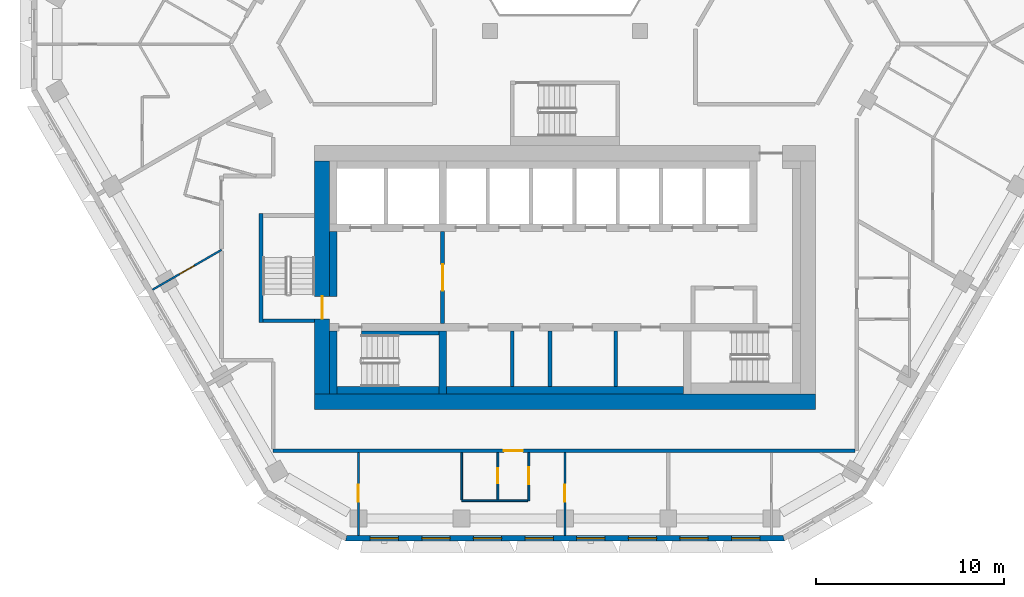
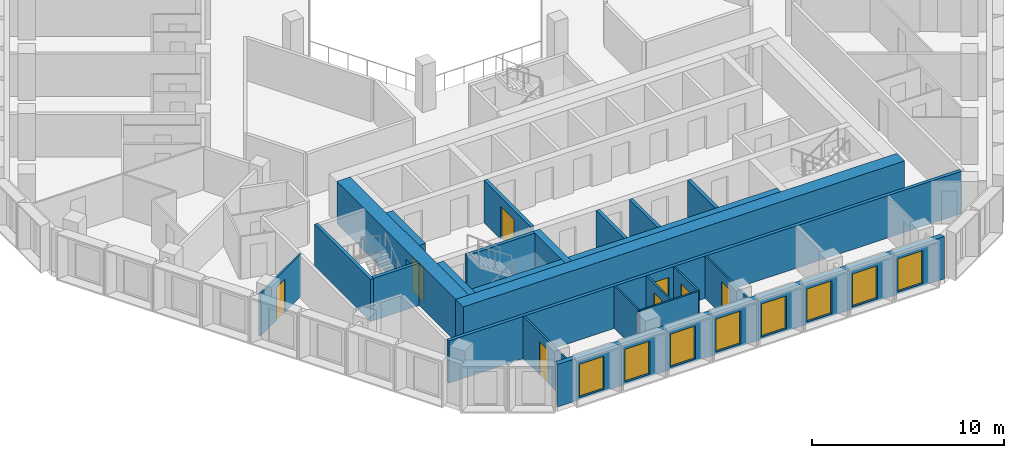
# One storey, part 3 of 17: 23 walls, 8 doors, 8 windows, 16 openings.
"""IFC4 building model written with IfcOpenShell, lengths in metres."""

from ifc_helpers import new_model, si_unit, direction, frame, frame_2d, origin, place, context, subcontext, project, spatial, polyline, rectangle, outline, extrude, material, layer, layer_set, type_object, element, fill, save


model = new_model("IFC4")

# Units and contexts
model_context = context("Model", 3, precision=1e-05, world=origin(), true_north=direction((0.0, 1.0)))
body_context = subcontext(model_context, "Body", "Model", "MODEL_VIEW")
ifc_project = project(units=[si_unit("LENGTHUNIT", "METRE"), si_unit("AREAUNIT", "SQUARE_METRE"), si_unit("VOLUMEUNIT", "CUBIC_METRE"), si_unit("PLANEANGLEUNIT", "RADIAN"), si_unit("MASSUNIT", "GRAM", prefix="KILO")], contexts=[model_context])

# Site, building, storey
site_placement = place(None, origin())
site = spatial("IfcSite", under=ifc_project, at=site_placement, CompositionType="ELEMENT")
building_placement = place(site_placement, origin())
building = spatial("IfcBuilding", under=site, at=building_placement, Name="Beryl Residences", CompositionType="ELEMENT")
storey_placement = place(building_placement, frame((0.0, 0.0, 132.60009765625)))
storey = spatial("IfcBuildingStorey", under=building, at=storey_placement, Name="L40", CompositionType="ELEMENT", Elevation=132.60009765625)

# Wall, openings, windows
ifc_material_1 = material(Name="Composite metal panel with mineral wool insulation")
ifc_layer_1 = layer(ifc_material_1, 0.300048828125)
ifc_layer_set_1 = layer_set([ifc_layer_1], Name="ES1 pale metal composite panel wall 300 mm")
wall_type_1 = type_object("IfcWallType", Name="ES1 pale metal composite panel wall 300 mm", PredefinedType="SOLIDWALL", material=ifc_layer_set_1)
wall_1_placement = place(storey_placement, frame((-11.662109375, -25.85009765625, 0.0), z_axis=(0.0, 0.0, 1.0), x_axis=(1.0, 0.0, 0.0)))
wall_1 = element("IfcWall", 1, at=wall_1_placement, inside=storey, type_object=wall_type_1, Name="ES1 external wall L40 S", PredefinedType="SOLIDWALL", context=body_context, shape_type="SweptSolid", body=[
    extrude(outline(polyline([(0.0, -0.14990234375), (23.32421875, -0.14990234375), (23.243896484375, 0.14990234375), (0.080322265625, 0.14990234375), (0.0, -0.14990234375)])), origin(), (0.0, 0.0, 1.0), 2.699951171875),
])
opening_1_placement = place(wall_1_placement, frame((1.31396484375, 0.0, 0.14990234375)))
opening_1 = element("IfcOpeningElement", 2, at=opening_1_placement, cuts=wall_1, Name="Opening W1", PredefinedType="OPENING", context=body_context, shape_type="SweptSolid", body=[
    extrude(rectangle(XDim=1.5, YDim=2.10009765625, at=frame_2d((0.75, 1.050048828125))), frame((0.0, 0.159912109375, 0.0), z_axis=(0.0, -1.0, 0.0), x_axis=(1.0, 0.0, 0.0)), (0.0, 0.0, 1.0), 0.320068359375),
])
opening_2_placement = place(wall_1_placement, frame((4.056884765625, 0.0, 0.14990234375)))
opening_2 = element("IfcOpeningElement", 3, at=opening_2_placement, cuts=wall_1, Name="Opening W1", PredefinedType="OPENING", context=body_context, shape_type="SweptSolid", body=[
    extrude(rectangle(XDim=1.5, YDim=2.10009765625, at=frame_2d((0.75, 1.050048828125))), frame((0.0, 0.159912109375, 0.0), z_axis=(0.0, -1.0, 0.0), x_axis=(1.0, 0.0, 0.0)), (0.0, 0.0, 1.0), 0.320068359375),
])
opening_3_placement = place(wall_1_placement, frame((6.799072265625, 0.0, 0.14990234375)))
opening_3 = element("IfcOpeningElement", 4, at=opening_3_placement, cuts=wall_1, Name="Opening W1", PredefinedType="OPENING", context=body_context, shape_type="SweptSolid", body=[
    extrude(rectangle(XDim=1.5, YDim=2.10009765625, at=frame_2d((0.75, 1.050048828125))), frame((0.0, 0.159912109375, 0.0), z_axis=(0.0, -1.0, 0.0), x_axis=(1.0, 0.0, 0.0)), (0.0, 0.0, 1.0), 0.320068359375),
])
opening_4_placement = place(wall_1_placement, frame((9.5419921875, 0.0, 0.14990234375)))
opening_4 = element("IfcOpeningElement", 5, at=opening_4_placement, cuts=wall_1, Name="Opening W1", PredefinedType="OPENING", context=body_context, shape_type="SweptSolid", body=[
    extrude(rectangle(XDim=1.5, YDim=2.10009765625, at=frame_2d((0.75, 1.050048828125))), frame((0.0, 0.159912109375, 0.0), z_axis=(0.0, -1.0, 0.0), x_axis=(1.0, 0.0, 0.0)), (0.0, 0.0, 1.0), 0.320068359375),
])
opening_5_placement = place(wall_1_placement, frame((12.283935546875, 0.0, 0.14990234375)))
opening_5 = element("IfcOpeningElement", 6, at=opening_5_placement, cuts=wall_1, Name="Opening W1", PredefinedType="OPENING", context=body_context, shape_type="SweptSolid", body=[
    extrude(rectangle(XDim=1.5, YDim=2.10009765625, at=frame_2d((0.75, 1.050048828125))), frame((0.0, 0.159912109375, 0.0), z_axis=(0.0, -1.0, 0.0), x_axis=(1.0, 0.0, 0.0)), (0.0, 0.0, 1.0), 0.320068359375),
])
opening_6_placement = place(wall_1_placement, frame((15.027099609375, 0.0, 0.14990234375)))
opening_6 = element("IfcOpeningElement", 7, at=opening_6_placement, cuts=wall_1, Name="Opening W1", PredefinedType="OPENING", context=body_context, shape_type="SweptSolid", body=[
    extrude(rectangle(XDim=1.5, YDim=2.10009765625, at=frame_2d((0.75, 1.050048828125))), frame((0.0, 0.159912109375, 0.0), z_axis=(0.0, -1.0, 0.0), x_axis=(1.0, 0.0, 0.0)), (0.0, 0.0, 1.0), 0.320068359375),
])
opening_7_placement = place(wall_1_placement, frame((17.76904296875, 0.0, 0.14990234375)))
opening_7 = element("IfcOpeningElement", 8, at=opening_7_placement, cuts=wall_1, Name="Opening W1", PredefinedType="OPENING", context=body_context, shape_type="SweptSolid", body=[
    extrude(rectangle(XDim=1.5, YDim=2.10009765625, at=frame_2d((0.75, 1.050048828125))), frame((0.0, 0.159912109375, 0.0), z_axis=(0.0, -1.0, 0.0), x_axis=(1.0, 0.0, 0.0)), (0.0, 0.0, 1.0), 0.320068359375),
])
opening_8_placement = place(wall_1_placement, frame((20.511962890625, 0.0, 0.14990234375)))
opening_8 = element("IfcOpeningElement", 9, at=opening_8_placement, cuts=wall_1, Name="Opening W1", PredefinedType="OPENING", context=body_context, shape_type="SweptSolid", body=[
    extrude(rectangle(XDim=1.5, YDim=2.10009765625, at=frame_2d((0.75, 1.050048828125))), frame((0.0, 0.159912109375, 0.0), z_axis=(0.0, -1.0, 0.0), x_axis=(1.0, 0.0, 0.0)), (0.0, 0.0, 1.0), 0.320068359375),
])
ifc_material_2 = material(Name="Aluminium and clear glass", Category="aluminium")
window_type = type_object("IfcWindowType", Name="W1 cell window 1500 x 2100 mm", PartitioningType="SINGLE_PANEL", PredefinedType="WINDOW", material=ifc_material_2)
window_1_placement = place(opening_1_placement, origin())
window_1 = element("IfcWindow", 10, at=window_1_placement, inside=storey, type_object=window_type, Name="W1 window L40 S 1", OverallHeight=2.10009765625, OverallWidth=1.5, PartitioningType="SINGLE_PANEL", PredefinedType="WINDOW", context=body_context, shape_type="SweptSolid", body=[
    extrude(rectangle(XDim=1.5, YDim=2.10009765625, at=frame_2d((0.75, 1.050048828125))), frame((0.0, 0.030029296875, 0.0), z_axis=(0.0, -1.0, 0.0), x_axis=(1.0, 0.0, 0.0)), (0.0, 0.0, 1.0), 0.06005859375),
])
fill(opening_1, window_1)
window_2_placement = place(opening_2_placement, origin())
window_2 = element("IfcWindow", 11, at=window_2_placement, inside=storey, type_object=window_type, Name="W1 window L40 S 2", OverallHeight=2.10009765625, OverallWidth=1.5, PartitioningType="SINGLE_PANEL", PredefinedType="WINDOW", context=body_context, shape_type="SweptSolid", body=[
    extrude(rectangle(XDim=1.5, YDim=2.10009765625, at=frame_2d((0.75, 1.050048828125))), frame((0.0, 0.030029296875, 0.0), z_axis=(0.0, -1.0, 0.0), x_axis=(1.0, 0.0, 0.0)), (0.0, 0.0, 1.0), 0.06005859375),
])
fill(opening_2, window_2)
window_3_placement = place(opening_3_placement, origin())
window_3 = element("IfcWindow", 12, at=window_3_placement, inside=storey, type_object=window_type, Name="W1 window L40 S 3", OverallHeight=2.10009765625, OverallWidth=1.5, PartitioningType="SINGLE_PANEL", PredefinedType="WINDOW", context=body_context, shape_type="SweptSolid", body=[
    extrude(rectangle(XDim=1.5, YDim=2.10009765625, at=frame_2d((0.75, 1.050048828125))), frame((0.0, 0.030029296875, 0.0), z_axis=(0.0, -1.0, 0.0), x_axis=(1.0, 0.0, 0.0)), (0.0, 0.0, 1.0), 0.06005859375),
])
fill(opening_3, window_3)
window_4_placement = place(opening_4_placement, origin())
window_4 = element("IfcWindow", 13, at=window_4_placement, inside=storey, type_object=window_type, Name="W1 window L40 S 4", OverallHeight=2.10009765625, OverallWidth=1.5, PartitioningType="SINGLE_PANEL", PredefinedType="WINDOW", context=body_context, shape_type="SweptSolid", body=[
    extrude(rectangle(XDim=1.5, YDim=2.10009765625, at=frame_2d((0.75, 1.050048828125))), frame((0.0, 0.030029296875, 0.0), z_axis=(0.0, -1.0, 0.0), x_axis=(1.0, 0.0, 0.0)), (0.0, 0.0, 1.0), 0.06005859375),
])
fill(opening_4, window_4)
window_5_placement = place(opening_5_placement, origin())
window_5 = element("IfcWindow", 14, at=window_5_placement, inside=storey, type_object=window_type, Name="W1 window L40 S 5", OverallHeight=2.10009765625, OverallWidth=1.5, PartitioningType="SINGLE_PANEL", PredefinedType="WINDOW", context=body_context, shape_type="SweptSolid", body=[
    extrude(rectangle(XDim=1.5, YDim=2.10009765625, at=frame_2d((0.75, 1.050048828125))), frame((0.0, 0.030029296875, 0.0), z_axis=(0.0, -1.0, 0.0), x_axis=(1.0, 0.0, 0.0)), (0.0, 0.0, 1.0), 0.06005859375),
])
fill(opening_5, window_5)
window_6_placement = place(opening_6_placement, origin())
window_6 = element("IfcWindow", 15, at=window_6_placement, inside=storey, type_object=window_type, Name="W1 window L40 S 6", OverallHeight=2.10009765625, OverallWidth=1.5, PartitioningType="SINGLE_PANEL", PredefinedType="WINDOW", context=body_context, shape_type="SweptSolid", body=[
    extrude(rectangle(XDim=1.5, YDim=2.10009765625, at=frame_2d((0.75, 1.050048828125))), frame((0.0, 0.030029296875, 0.0), z_axis=(0.0, -1.0, 0.0), x_axis=(1.0, 0.0, 0.0)), (0.0, 0.0, 1.0), 0.06005859375),
])
fill(opening_6, window_6)
window_7_placement = place(opening_7_placement, origin())
window_7 = element("IfcWindow", 16, at=window_7_placement, inside=storey, type_object=window_type, Name="W1 window L40 S 7", OverallHeight=2.10009765625, OverallWidth=1.5, PartitioningType="SINGLE_PANEL", PredefinedType="WINDOW", context=body_context, shape_type="SweptSolid", body=[
    extrude(rectangle(XDim=1.5, YDim=2.10009765625, at=frame_2d((0.75, 1.050048828125))), frame((0.0, 0.030029296875, 0.0), z_axis=(0.0, -1.0, 0.0), x_axis=(1.0, 0.0, 0.0)), (0.0, 0.0, 1.0), 0.06005859375),
])
fill(opening_7, window_7)
window_8_placement = place(opening_8_placement, origin())
window_8 = element("IfcWindow", 17, at=window_8_placement, inside=storey, type_object=window_type, Name="W1 window L40 S 8", OverallHeight=2.10009765625, OverallWidth=1.5, PartitioningType="SINGLE_PANEL", PredefinedType="WINDOW", context=body_context, shape_type="SweptSolid", body=[
    extrude(rectangle(XDim=1.5, YDim=2.10009765625, at=frame_2d((0.75, 1.050048828125))), frame((0.0, 0.030029296875, 0.0), z_axis=(0.0, -1.0, 0.0), x_axis=(1.0, 0.0, 0.0)), (0.0, 0.0, 1.0), 0.06005859375),
])
fill(opening_8, window_8)

# Wall
ifc_material_3 = material(Name="Gypsum board partition on steel studs", Category="steel")
ifc_layer_2 = layer(ifc_material_3, 0.10009765625)
ifc_layer_set_2 = layer_set([ifc_layer_2], Name="PT1 partition 100 mm gypsum board on steel studs")
wall_type_2 = type_object("IfcWallType", Name="PT1 partition 100 mm gypsum board on steel studs", PredefinedType="PARTITIONING", material=ifc_layer_set_2)
wall_2_placement = place(storey_placement, frame((-5.48388671875, -21.300048828125, 0.0), z_axis=(0.0, 0.0, 1.0), x_axis=(0.0, -1.0, 0.0)))
element("IfcWall", 18, at=wall_2_placement, inside=storey, type_object=wall_type_2, Name="Wall PT1 L40 006", PredefinedType="PARTITIONING", context=body_context, shape_type="SweptSolid", body=[
    extrude(rectangle(XDim=2.509033203125, YDim=0.10009765625, at=frame_2d((1.25439453125, 0.0))), origin(), (0.0, 0.0, 1.0), 2.699951171875),
])

# Wall, opening, door
wall_3_placement = place(storey_placement, frame((0.0009765625, -21.300048828125, 0.0), z_axis=(0.0, 0.0, 1.0), x_axis=(0.0, -1.0, 0.0)))
wall_3 = element("IfcWall", 19, at=wall_3_placement, inside=storey, type_object=wall_type_2, Name="Wall PT1 L40 007", PredefinedType="PARTITIONING", context=body_context, shape_type="SweptSolid", body=[
    extrude(rectangle(XDim=4.39990234375, YDim=0.10009765625, at=frame_2d((2.199951171875, 0.0))), origin(), (0.0, 0.0, 1.0), 2.699951171875),
])
opening_9_placement = place(wall_3_placement, frame((1.699951171875, 0.0, 0.0)))
opening_9 = element("IfcOpeningElement", 20, at=opening_9_placement, cuts=wall_3, Name="Opening D1035", PredefinedType="OPENING", context=body_context, shape_type="SweptSolid", body=[
    extrude(rectangle(XDim=0.89990234375, YDim=2.10009765625, at=frame_2d((0.449951171875, 1.050048828125))), frame((0.0, 0.06005859375, 0.0), z_axis=(0.0, -1.0, 0.0), x_axis=(1.0, 0.0, 0.0)), (0.0, 0.0, 1.0), 0.1201171875),
])
ifc_material_4 = material(Name="Timber door leaf", Category="wood")
door_type_1 = type_object("IfcDoorType", Name="D2 room door 900 x 2100 mm", OperationType="SINGLE_SWING_LEFT", PredefinedType="DOOR", material=ifc_material_4)
door_1_placement = place(opening_9_placement, origin())
door_1 = element("IfcDoor", 21, at=door_1_placement, inside=storey, type_object=door_type_1, Name="Door D1035 L40 001", OperationType="SINGLE_SWING_LEFT", OverallHeight=2.10009765625, OverallWidth=0.89990234375, PredefinedType="DOOR", context=body_context, shape_type="SweptSolid", body=[
    extrude(rectangle(XDim=0.89990234375, YDim=2.10009765625, at=frame_2d((0.449951171875, 1.050048828125))), frame((0.0, 0.02490234375, 0.0), z_axis=(0.0, -1.0, 0.0), x_axis=(1.0, 0.0, 0.0)), (0.0, 0.0, 1.0), 0.050048828125),
])
fill(opening_9, door_1)

# Wall
wall_4_placement = place(storey_placement, frame((-5.48291015625, -23.860107421875, 0.0), z_axis=(0.0, 0.0, 1.0), x_axis=(1.0, 0.0, 0.0)))
element("IfcWall", 22, at=wall_4_placement, inside=storey, type_object=wall_type_2, Name="Wall PT1 L40 024", PredefinedType="PARTITIONING", context=body_context, shape_type="SweptSolid", body=[
    extrude(rectangle(XDim=3.512939453125, YDim=0.10009765625, at=frame_2d((1.75634765625, 0.0))), origin(), (0.0, 0.0, 1.0), 2.699951171875),
])

# Wall, opening, door
wall_5_placement = place(storey_placement, frame((-3.56396484375, -23.81005859375, 0.0), z_axis=(0.0, 0.0, 1.0), x_axis=(0.0, 1.0, 0.0)))
wall_5 = element("IfcWall", 23, at=wall_5_placement, inside=storey, type_object=wall_type_2, Name="Wall PT1 L40 045", PredefinedType="PARTITIONING", context=body_context, shape_type="SweptSolid", body=[
    extrude(rectangle(XDim=2.510009765625, YDim=0.10009765625, at=frame_2d((1.2548828125, 0.0))), origin(), (0.0, 0.0, 1.0), 2.699951171875),
])
opening_10_placement = place(wall_5_placement, frame((0.8798828125, 0.0, 0.0)))
opening_10 = element("IfcOpeningElement", 24, at=opening_10_placement, cuts=wall_5, Name="Opening D1033", PredefinedType="OPENING", context=body_context, shape_type="SweptSolid", body=[
    extrude(rectangle(XDim=0.800048828125, YDim=2.10009765625, at=frame_2d((0.39990234375, 1.050048828125))), frame((0.0, 0.06005859375, 0.0), z_axis=(0.0, -1.0, 0.0), x_axis=(1.0, 0.0, 0.0)), (0.0, 0.0, 1.0), 0.1201171875),
])
ifc_material_5 = material(Name="Timber door leaf", Category="wood")
door_type_2 = type_object("IfcDoorType", Name="D3 bathroom door 800 x 2100 mm", OperationType="SINGLE_SWING_LEFT", PredefinedType="DOOR", material=ifc_material_5)
door_2_placement = place(opening_10_placement, origin())
door_2 = element("IfcDoor", 25, at=door_2_placement, inside=storey, type_object=door_type_2, Name="Door D1033 L40 001", OperationType="SINGLE_SWING_LEFT", OverallHeight=2.10009765625, OverallWidth=0.800048828125, PredefinedType="DOOR", context=body_context, shape_type="SweptSolid", body=[
    extrude(rectangle(XDim=0.800048828125, YDim=2.10009765625, at=frame_2d((0.39990234375, 1.050048828125))), frame((0.0, 0.02490234375, 0.0), z_axis=(0.0, -1.0, 0.0), x_axis=(1.0, 0.0, 0.0)), (0.0, 0.0, 1.0), 0.050048828125),
])
fill(opening_10, door_2)

wall_6_placement = place(storey_placement, frame((-10.968994140625, -25.699951171875, 0.0), z_axis=(0.0, 0.0, 1.0), x_axis=(0.0, 1.0, 0.0)))
wall_6 = element("IfcWall", 26, at=wall_6_placement, inside=storey, type_object=wall_type_2, Name="Wall PT1 L40 047", PredefinedType="PARTITIONING", context=body_context, shape_type="SweptSolid", body=[
    extrude(rectangle(XDim=4.39990234375, YDim=0.10009765625, at=frame_2d((2.199951171875, 0.0))), origin(), (0.0, 0.0, 1.0), 2.699951171875),
])
opening_11_placement = place(wall_6_placement, frame((1.800048828125, 0.0, 0.0)))
opening_11 = element("IfcOpeningElement", 27, at=opening_11_placement, cuts=wall_6, Name="Opening D1034", PredefinedType="OPENING", context=body_context, shape_type="SweptSolid", body=[
    extrude(rectangle(XDim=0.89990234375, YDim=2.10009765625, at=frame_2d((0.449951171875, 1.050048828125))), frame((0.0, 0.06005859375, 0.0), z_axis=(0.0, -1.0, 0.0), x_axis=(1.0, 0.0, 0.0)), (0.0, 0.0, 1.0), 0.1201171875),
])
door_3_placement = place(opening_11_placement, origin())
door_3 = element("IfcDoor", 28, at=door_3_placement, inside=storey, type_object=door_type_1, Name="Door D1034 L40 001", OperationType="SINGLE_SWING_RIGHT", OverallHeight=2.10009765625, OverallWidth=0.89990234375, PredefinedType="DOOR", context=body_context, shape_type="SweptSolid", body=[
    extrude(rectangle(XDim=0.89990234375, YDim=2.10009765625, at=frame_2d((0.449951171875, 1.050048828125))), frame((0.0, 0.02490234375, 0.0), z_axis=(0.0, -1.0, 0.0), x_axis=(1.0, 0.0, 0.0)), (0.0, 0.0, 1.0), 0.050048828125),
])
fill(opening_11, door_3)

wall_7_placement = place(storey_placement, frame((-1.9189453125, -23.85888671875, 0.0), z_axis=(0.0, 0.0, 1.0), x_axis=(0.0, 1.0, 0.0)))
wall_7 = element("IfcWall", 29, at=wall_7_placement, inside=storey, type_object=wall_type_2, Name="Wall PT1 L40 048", PredefinedType="PARTITIONING", context=body_context, shape_type="SweptSolid", body=[
    extrude(rectangle(XDim=2.558837890625, YDim=0.10009765625, at=frame_2d((1.279296875, 0.0))), origin(), (0.0, 0.0, 1.0), 2.699951171875),
])
opening_12_placement = place(wall_7_placement, frame((0.87890625, 0.0, 0.0)))
opening_12 = element("IfcOpeningElement", 30, at=opening_12_placement, cuts=wall_7, Name="Opening D1032", PredefinedType="OPENING", context=body_context, shape_type="SweptSolid", body=[
    extrude(rectangle(XDim=0.89990234375, YDim=2.10009765625, at=frame_2d((0.449951171875, 1.050048828125))), frame((0.0, 0.06005859375, 0.0), z_axis=(0.0, -1.0, 0.0), x_axis=(1.0, 0.0, 0.0)), (0.0, 0.0, 1.0), 0.1201171875),
])
door_4_placement = place(opening_12_placement, origin())
door_4 = element("IfcDoor", 31, at=door_4_placement, inside=storey, type_object=door_type_1, Name="Door D1032 L40 001", OperationType="SINGLE_SWING_RIGHT", OverallHeight=2.10009765625, OverallWidth=0.89990234375, PredefinedType="DOOR", context=body_context, shape_type="SweptSolid", body=[
    extrude(rectangle(XDim=0.89990234375, YDim=2.10009765625, at=frame_2d((0.449951171875, 1.050048828125))), frame((0.0, 0.02490234375, 0.0), z_axis=(0.0, -1.0, 0.0), x_axis=(1.0, 0.0, 0.0)), (0.0, 0.0, 1.0), 0.050048828125),
])
fill(opening_12, door_4)

wall_8_placement = place(storey_placement, frame((-21.910888671875, -12.64892578125, 0.0), z_axis=(0.0, 0.0, 1.0), x_axis=(0.865984571374, 0.500070717141, 0.0)))
wall_8 = element("IfcWall", 32, at=wall_8_placement, inside=storey, type_object=wall_type_2, Name="Wall PT1 L40 051", PredefinedType="PARTITIONING", context=body_context, shape_type="SweptSolid", body=[
    extrude(rectangle(XDim=4.2275390625, YDim=0.10009765625, at=frame_2d((2.11376953125, 0.0))), origin(), (0.0, 0.0, 1.0), 2.699951171875),
])
opening_13_placement = place(wall_8_placement, frame((1.6630859375, 0.0, 0.0)))
opening_13 = element("IfcOpeningElement", 33, at=opening_13_placement, cuts=wall_8, Name="Opening D1030", PredefinedType="OPENING", context=body_context, shape_type="SweptSolid", body=[
    extrude(rectangle(XDim=0.89990234375, YDim=2.10009765625, at=frame_2d((0.449951171875, 1.050048828125))), frame((0.0, 0.06005859375, 0.0), z_axis=(0.0, -1.0, 0.0), x_axis=(1.0, 0.0, 0.0)), (0.0, 0.0, 1.0), 0.1201171875),
])
door_5_placement = place(opening_13_placement, origin())
door_5 = element("IfcDoor", 34, at=door_5_placement, inside=storey, type_object=door_type_1, Name="Door D1030 L40 001", OperationType="SINGLE_SWING_RIGHT", OverallHeight=2.10009765625, OverallWidth=0.89990234375, PredefinedType="DOOR", context=body_context, shape_type="SweptSolid", body=[
    extrude(rectangle(XDim=0.89990234375, YDim=2.10009765625, at=frame_2d((0.449951171875, 1.050048828125))), frame((0.0, 0.02490234375, 0.0), z_axis=(0.0, -1.0, 0.0), x_axis=(1.0, 0.0, 0.0)), (0.0, 0.0, 1.0), 0.050048828125),
])
fill(opening_13, door_5)

ifc_material_6 = material(Name="Concrete masonry", Category="masonry")
ifc_layer_3 = layer(ifc_material_6, 0.199951171875)
ifc_layer_set_3 = layer_set([ifc_layer_3], Name="PT13 lobby wall 200 mm")
wall_type_3 = type_object("IfcWallType", Name="PT13 lobby wall 200 mm", PredefinedType="PARTITIONING", material=ifc_layer_set_3)
wall_9_placement = place(storey_placement, frame((-6.5, -14.449951171875, 0.0), z_axis=(0.0, 0.0, 1.0), x_axis=(0.0, 1.0, 0.0)))
wall_9 = element("IfcWall", 35, at=wall_9_placement, inside=storey, type_object=wall_type_3, Name="Lobby wall 11", PredefinedType="PARTITIONING", context=body_context, shape_type="SweptSolid", body=[
    extrude(rectangle(XDim=4.89990234375, YDim=0.199951171875, at=frame_2d((2.449951171875, 0.0))), origin(), (0.0, 0.0, 1.0), 2.699951171875),
])
opening_14_placement = place(wall_9_placement, frame((3.14990234375, 0.0, 0.0), z_axis=(0.0, 0.0, 1.0), x_axis=(-1.0, 0.0, 0.0)))
opening_14 = element("IfcOpeningElement", 36, at=opening_14_placement, cuts=wall_9, Name="Opening FD-FFL", PredefinedType="OPENING", context=body_context, shape_type="SweptSolid", body=[
    extrude(rectangle(XDim=1.39990234375, YDim=2.10009765625, at=frame_2d((0.699951171875, 1.050048828125))), frame((0.0, 0.10986328125, 0.0), z_axis=(0.0, -1.0, 0.0), x_axis=(1.0, 0.0, 0.0)), (0.0, 0.0, 1.0), 0.219970703125),
])
ifc_material_7 = material(Name="Steel door leaf in steel frame", Category="steel")
door_type_3 = type_object("IfcDoorType", Name="D5 lobby door 1400 x 2100 mm", OperationType="DOUBLE_DOOR_SINGLE_SWING", PredefinedType="DOOR", material=ifc_material_7)
door_6_placement = place(opening_14_placement, origin())
door_6 = element("IfcDoor", 37, at=door_6_placement, inside=storey, type_object=door_type_3, Name="Door FD-FFL L40 001", OperationType="DOUBLE_DOOR_SINGLE_SWING", OverallHeight=2.10009765625, OverallWidth=1.39990234375, PredefinedType="DOOR", context=body_context, shape_type="SweptSolid", body=[
    extrude(rectangle(XDim=1.39990234375, YDim=2.10009765625, at=frame_2d((0.699951171875, 1.050048828125))), frame((0.0, 0.02490234375, 0.0), z_axis=(0.0, -1.0, 0.0), x_axis=(1.0, 0.0, 0.0)), (0.0, 0.0, 1.0), 0.050048828125),
])
fill(opening_14, door_6)

# Wall
ifc_material_8 = material(Name="Concrete masonry", Category="masonry")
ifc_layer_4 = layer(ifc_material_8, 0.39990234375)
ifc_layer_set_4 = layer_set([ifc_layer_4], Name="PT13-400 lobby wall 400 mm")
wall_type_4 = type_object("IfcWallType", Name="PT13-400 lobby wall 400 mm", PredefinedType="PARTITIONING", material=ifc_layer_set_4)
wall_10_placement = place(storey_placement, frame((-12.300048828125, -13.0, 0.0), z_axis=(0.0, 0.0, 1.0), x_axis=(0.0, 1.0, 0.0)))
element("IfcWall", 38, at=wall_10_placement, inside=storey, type_object=wall_type_4, Name="Lobby wall 05", PredefinedType="PARTITIONING", context=body_context, shape_type="SweptSolid", body=[
    extrude(rectangle(XDim=3.449951171875, YDim=0.39990234375, at=frame_2d((1.72509765625, 0.0))), origin(), (0.0, 0.0, 1.0), 2.699951171875),
])

# Wall, opening, door
ifc_material_9 = material(Name="Double stud gypsum board wall")
ifc_layer_5 = layer(ifc_material_9, 0.199951171875)
ifc_layer_set_5 = layer_set([ifc_layer_5], Name="PT4 corridor wall 200 mm double stud")
wall_type_5 = type_object("IfcWallType", Name="PT4 corridor wall 200 mm double stud", PredefinedType="PARTITIONING", material=ifc_layer_set_5)
wall_11_placement = place(storey_placement, frame((-15.4990234375, -21.199951171875, 0.0), z_axis=(0.0, 0.0, 1.0), x_axis=(1.0, 0.0, 0.0)))
wall_11 = element("IfcWall", 39, at=wall_11_placement, inside=storey, type_object=wall_type_5, Name="Wall PT4 L40 011", PredefinedType="PARTITIONING", context=body_context, shape_type="SweptSolid", body=[
    extrude(rectangle(XDim=30.89892578125, YDim=0.199951171875, at=frame_2d((15.449462890625, 0.0))), origin(), (0.0, 0.0, 1.0), 2.699951171875),
])
opening_15_placement = place(wall_11_placement, frame((12.258056640625, 0.0, 0.0)))
opening_15 = element("IfcOpeningElement", 40, at=opening_15_placement, cuts=wall_11, Name="Opening D1031", PredefinedType="OPENING", context=body_context, shape_type="SweptSolid", body=[
    extrude(rectangle(XDim=1.0, YDim=2.10009765625, at=frame_2d((0.5, 1.050048828125))), frame((0.0, 0.10986328125, 0.0), z_axis=(0.0, -1.0, 0.0), x_axis=(1.0, 0.0, 0.0)), (0.0, 0.0, 1.0), 0.219970703125),
])
ifc_material_10 = material(Name="Timber door leaf", Category="wood")
door_type_4 = type_object("IfcDoorType", Name="D1 flat entrance door 1000 x 2100 mm", OperationType="SINGLE_SWING_LEFT", PredefinedType="DOOR", material=ifc_material_10)
door_7_placement = place(opening_15_placement, origin())
door_7 = element("IfcDoor", 41, at=door_7_placement, inside=storey, type_object=door_type_4, Name="Door D1031 L40 001", OperationType="SINGLE_SWING_LEFT", OverallHeight=2.10009765625, OverallWidth=1.0, PredefinedType="DOOR", context=body_context, shape_type="SweptSolid", body=[
    extrude(rectangle(XDim=1.0, YDim=2.10009765625, at=frame_2d((0.5, 1.050048828125))), frame((0.0, 0.02490234375, 0.0), z_axis=(0.0, -1.0, 0.0), x_axis=(1.0, 0.0, 0.0)), (0.0, 0.0, 1.0), 0.050048828125),
])
fill(opening_15, door_7)

# Walls
ifc_material_11 = material(Name="Concrete C40/50", Category="concrete")
ifc_layer_6 = layer(ifc_material_11, 0.199951171875)
ifc_layer_set_6 = layer_set([ifc_layer_6], Name="PT5 stair enclosure wall 200 mm reinforced concrete C40/50")
wall_type_6 = type_object("IfcWallType", Name="PT5 stair enclosure wall 200 mm reinforced concrete C40/50", PredefinedType="SOLIDWALL", material=ifc_layer_set_6)
wall_12_placement = place(storey_placement, frame((-16.14990234375, -14.39990234375, 0.0), z_axis=(0.0, 0.0, 1.0), x_axis=(0.0, 1.0, 0.0)))
element("IfcWall", 42, at=wall_12_placement, inside=storey, type_object=wall_type_6, Name="Stair wall 01", PredefinedType="SOLIDWALL", context=body_context, shape_type="SweptSolid", body=[
    extrude(rectangle(XDim=5.7998046875, YDim=0.199951171875, at=frame_2d((2.89990234375, 0.0))), origin(), (0.0, 0.0, 1.0), 2.699951171875),
])
wall_13_placement = place(storey_placement, frame((-16.050048828125, -14.300048828125, 0.0), z_axis=(0.0, 0.0, 1.0), x_axis=(1.0, 0.0, 0.0)))
element("IfcWall", 43, at=wall_13_placement, inside=storey, type_object=wall_type_6, Name="Stair wall 02", PredefinedType="SOLIDWALL", context=body_context, shape_type="SweptSolid", body=[
    extrude(rectangle(XDim=2.75, YDim=0.199951171875, at=frame_2d((1.375, 0.0))), origin(), (0.0, 0.0, 1.0), 2.699951171875),
])
wall_14_placement = place(storey_placement, frame((-10.800048828125, -14.949951171875, 0.0), z_axis=(0.0, 0.0, 1.0), x_axis=(1.0, 0.0, 0.0)))
element("IfcWall", 44, at=wall_14_placement, inside=storey, type_object=wall_type_6, Name="Stair wall 09", PredefinedType="SOLIDWALL", context=body_context, shape_type="SweptSolid", body=[
    extrude(rectangle(XDim=4.10009765625, YDim=0.199951171875, at=frame_2d((2.050048828125, 0.0))), origin(), (0.0, 0.0, 1.0), 2.699951171875),
])
ifc_material_12 = material(Name="Concrete C40/50", Category="concrete")
ifc_layer_7 = layer(ifc_material_12, 0.39990234375)
ifc_layer_set_7 = layer_set([ifc_layer_7], Name="PT5-400 stair enclosure wall 400 mm")
wall_type_7 = type_object("IfcWallType", Name="PT5-400 stair enclosure wall 400 mm", PredefinedType="SOLIDWALL", material=ifc_layer_set_7)
wall_15_placement = place(storey_placement, frame((-12.300048828125, -18.199951171875, 0.0), z_axis=(0.0, 0.0, 1.0), x_axis=(0.0, 1.0, 0.0)))
element("IfcWall", 45, at=wall_15_placement, inside=storey, type_object=wall_type_7, Name="Stair wall 04", PredefinedType="SOLIDWALL", context=body_context, shape_type="SweptSolid", body=[
    extrude(rectangle(XDim=3.349853515625, YDim=0.39990234375, at=frame_2d((1.6748046875, 0.0))), origin(), (0.0, 0.0, 1.0), 2.699951171875),
])
wall_16_placement = place(storey_placement, frame((-12.10009765625, -18.0, 0.0), z_axis=(0.0, 0.0, 1.0), x_axis=(1.0, 0.0, 0.0)))
element("IfcWall", 46, at=wall_16_placement, inside=storey, type_object=wall_type_7, Name="Stair wall 07", PredefinedType="SOLIDWALL", context=body_context, shape_type="SweptSolid", body=[
    extrude(rectangle(XDim=5.400146484375, YDim=0.39990234375, at=frame_2d((2.7001953125, 0.0))), origin(), (0.0, 0.0, 1.0), 2.699951171875),
])
ifc_material_13 = material(Name="Concrete masonry", Category="masonry")
ifc_layer_8 = layer(ifc_material_13, 0.199951171875)
ifc_layer_set_8 = layer_set([ifc_layer_8], Name="PT8-200 service room wall 200 mm")
wall_type_8 = type_object("IfcWallType", Name="PT8-200 service room wall 200 mm", PredefinedType="PARTITIONING", material=ifc_layer_set_8)
for number, where, z_axis, x_axis, name in (
    (47, (-2.800048828125, -17.800048828125, 0.0), (0.0, 0.0, 1.0), (0.0, 1.0, 0.0), "Core room wall 15"),
    (48, (-0.800048828125, -17.800048828125, 0.0), (0.0, 0.0, 1.0), (0.0, 1.0, 0.0), "Core room wall 17"),
    (49, (2.699951171875, -17.800048828125, 0.0), (0.0, 0.0, 1.0), (0.0, 1.0, 0.0), "Core room wall 19"),
):
    element("IfcWall", number, at=place(storey_placement, frame(where, z_axis=z_axis, x_axis=x_axis)), inside=storey, type_object=wall_type_8, Name=name, PredefinedType="PARTITIONING", context=body_context, shape_type="SweptSolid", body=[
        extrude(rectangle(XDim=2.949951171875, YDim=0.199951171875, at=frame_2d((1.47509765625, 0.0))), origin(), (0.0, 0.0, 1.0), 2.699951171875),
    ])
ifc_material_14 = material(Name="Concrete masonry", Category="masonry")
ifc_layer_9 = layer(ifc_material_14, 0.39990234375)
ifc_layer_set_9 = layer_set([ifc_layer_9], Name="PT8-400 service room wall 400 mm")
wall_type_9 = type_object("IfcWallType", Name="PT8-400 service room wall 400 mm", PredefinedType="PARTITIONING", material=ifc_layer_set_9)
wall_17_placement = place(storey_placement, frame((-6.300048828125, -18.0, 0.0), z_axis=(0.0, 0.0, 1.0), x_axis=(1.0, 0.0, 0.0)))
element("IfcWall", 50, at=wall_17_placement, inside=storey, type_object=wall_type_9, Name="Core room wall 12", PredefinedType="PARTITIONING", context=body_context, shape_type="SweptSolid", body=[
    extrude(rectangle(XDim=12.60009765625, YDim=0.39990234375, at=frame_2d((6.300048828125, 0.0))), origin(), (0.0, 0.0, 1.0), 2.699951171875),
])
ifc_material_15 = material(Name="Concrete C60/75", Category="concrete")
ifc_layer_10 = layer(ifc_material_15, 0.800048828125)
ifc_layer_set_10 = layer_set([ifc_layer_10], Name="SW3 core outer wall 800 mm C60/75")
wall_type_10 = type_object("IfcWallType", Name="SW3 core outer wall 800 mm C60/75", PredefinedType="SHEAR", material=ifc_layer_set_10)
wall_18_placement = place(storey_placement, frame((-13.300048828125, -18.60009765625, 0.0), z_axis=(0.0, 0.0, 1.0), x_axis=(1.0, 0.0, 0.0)))
element("IfcWall", 51, at=wall_18_placement, inside=storey, type_object=wall_type_10, Name="Core wall S L40", PredefinedType="SHEAR", context=body_context, shape_type="SweptSolid", body=[
    extrude(rectangle(XDim=26.60009765625, YDim=0.800048828125, at=frame_2d((13.300048828125, 0.0))), origin(), (0.0, 0.0, 1.0), 2.699951171875),
])

# Wall, opening, door
wall_19_placement = place(storey_placement, frame((-12.89990234375, -18.199951171875, 0.0), z_axis=(0.0, 0.0, 1.0), x_axis=(0.0, 1.0, 0.0)))
wall_19 = element("IfcWall", 52, at=wall_19_placement, inside=storey, type_object=wall_type_10, Name="Core wall W L40", PredefinedType="SHEAR", context=body_context, shape_type="SweptSolid", body=[
    extrude(rectangle(XDim=12.39990234375, YDim=0.800048828125, at=frame_2d((6.199951171875, 0.0))), origin(), (0.0, 0.0, 1.0), 2.699951171875),
])
opening_16_placement = place(wall_19_placement, frame((4.0, 0.0, 0.0)))
opening_16 = element("IfcOpeningElement", 53, at=opening_16_placement, cuts=wall_19, Name="Opening SD-2", PredefinedType="OPENING", context=body_context, shape_type="SweptSolid", body=[
    extrude(rectangle(XDim=1.199951171875, YDim=2.10009765625, at=frame_2d((0.60009765625, 1.050048828125))), frame((0.0, 0.409912109375, 0.0), z_axis=(0.0, -1.0, 0.0), x_axis=(1.0, 0.0, 0.0)), (0.0, 0.0, 1.0), 0.820068359375),
])
ifc_material_16 = material(Name="Steel door leaf in steel frame", Category="steel")
door_type_5 = type_object("IfcDoorType", Name="D4 stair door 1200 x 2100 mm", OperationType="SINGLE_SWING_LEFT", PredefinedType="DOOR", material=ifc_material_16)
door_8_placement = place(opening_16_placement, origin())
door_8 = element("IfcDoor", 54, at=door_8_placement, inside=storey, type_object=door_type_5, Name="Door SD-2 L40 001", OperationType="SINGLE_SWING_RIGHT", OverallHeight=2.10009765625, OverallWidth=1.199951171875, PredefinedType="DOOR", context=body_context, shape_type="SweptSolid", body=[
    extrude(rectangle(XDim=1.199951171875, YDim=2.10009765625, at=frame_2d((0.60009765625, 1.050048828125))), frame((0.0, 0.02490234375, 0.0), z_axis=(0.0, -1.0, 0.0), x_axis=(1.0, 0.0, 0.0)), (0.0, 0.0, 1.0), 0.050048828125),
])
fill(opening_16, door_8)

# Wall
ifc_material_17 = material(Name="Concrete C60/75", Category="concrete")
ifc_layer_11 = layer(ifc_material_17, 0.39990234375)
ifc_layer_set_11 = layer_set([ifc_layer_11], Name="SW8 core internal wall 400 mm C60/75")
wall_type_11 = type_object("IfcWallType", Name="SW8 core internal wall 400 mm C60/75", PredefinedType="SHEAR", material=ifc_layer_set_11)
wall_20_placement = place(storey_placement, frame((-6.5, -18.199951171875, 0.0), z_axis=(0.0, 0.0, 1.0), x_axis=(0.0, 1.0, 0.0)))
element("IfcWall", 55, at=wall_20_placement, inside=storey, type_object=wall_type_11, Name="Core wall XS1 L40", PredefinedType="SHEAR", context=body_context, shape_type="SweptSolid", body=[
    extrude(rectangle(XDim=3.349853515625, YDim=0.39990234375, at=frame_2d((1.6748046875, 0.0))), origin(), (0.0, 0.0, 1.0), 2.699951171875),
])

save(model, "model.ifc")
